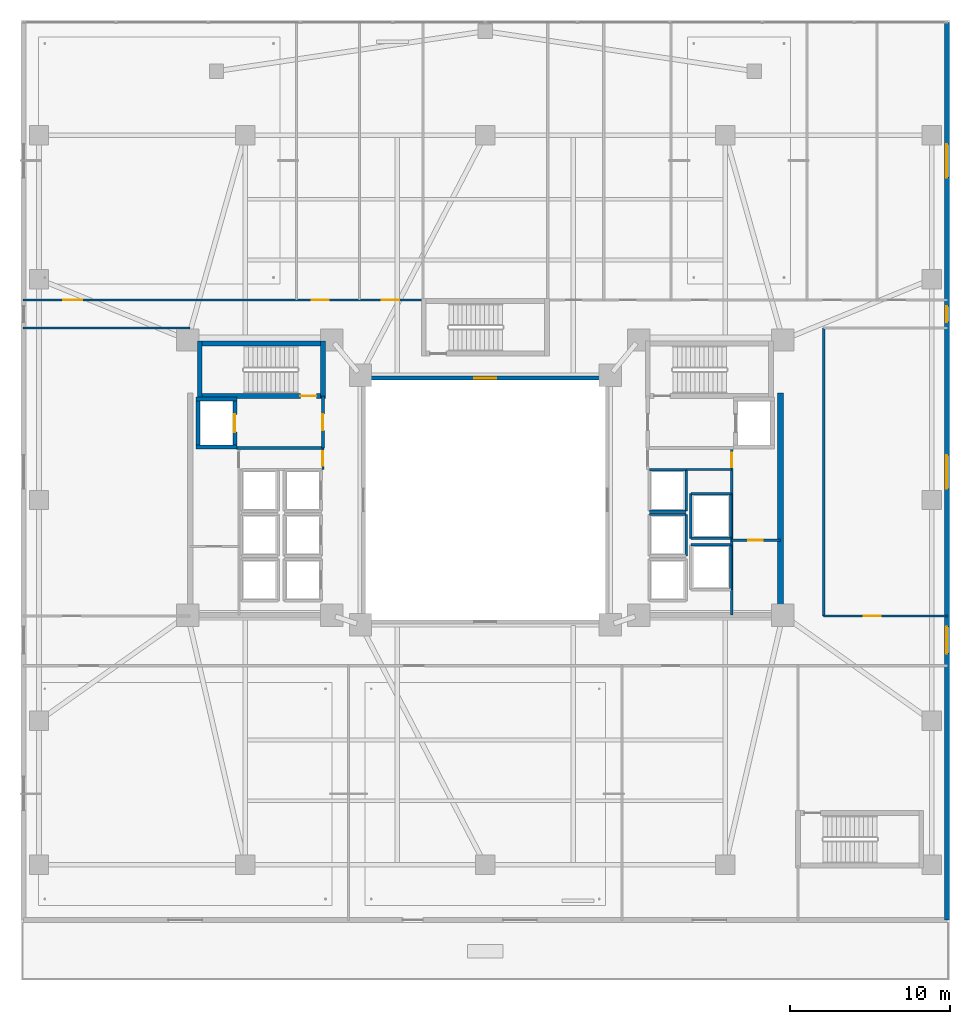
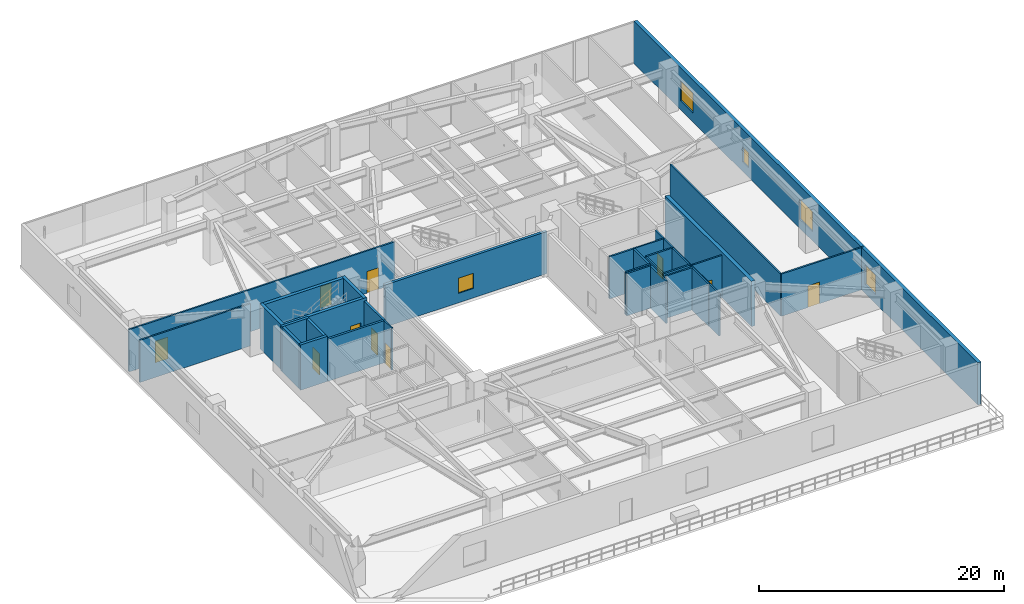
# One storey, part 10 of 22: 32 walls, 10 doors, 5 windows, 15 openings.
"""IFC4 building model written with IfcOpenShell, lengths in metres."""

import ifcopenshell
import ifcopenshell.guid

model = None  # the IFC model being written
_history = None  # IfcOwnerHistory: only IFC2X3 demands one
_inside = {}  # id of a spatial element -> (the spatial element, [elements in it])
_under = {}  # id of a project, library or spatial element -> (it, [spatial elements below it])
_declared = {}  # id of a project -> (the project, [libraries it declares])
_typed = {}  # id of a type object -> (the type object, [elements of that type])
_made_of = {}  # id of a material, layer set ... -> (it, [elements and type objects made of it])


def new_model(schema):
    """Start an empty IFC model of exactly this schema.

    Asked for "IFC4X3", IfcOpenShell would pick the latest addendum, in which some entities
    have other attributes; the version numbers below select the first issue.
    IFC2X3 requires an IfcOwnerHistory on every rooted entity: one is made here for all.
    """
    global model, _history
    if schema == "IFC4X3":
        model = ifcopenshell.file(schema_version=(4, 3, 0, 0))
    else:
        model = ifcopenshell.file(schema=schema)
    _inside.clear()
    _under.clear()
    _declared.clear()
    _typed.clear()
    _made_of.clear()
    _history = None
    if model.schema == "IFC2X3":
        org = make("IfcOrganization", Name="unknown")
        user = make(
            "IfcPersonAndOrganization",
            ThePerson=make("IfcPerson", FamilyName="unknown"),
            TheOrganization=org,
        )
        app = make(
            "IfcApplication",
            ApplicationDeveloper=org,
            Version="unknown",
            ApplicationFullName="unknown",
            ApplicationIdentifier="unknown",
        )
        _history = make(
            "IfcOwnerHistory",
            OwningUser=user,
            OwningApplication=app,
            ChangeAction="ADDED",
            CreationDate=0,
        )
    return model


def make(cls, **values):
    """One entity of the class cls with the attributes given. An attribute that is None is left unset."""
    return model.create_entity(
        cls, **{name: value for name, value in values.items() if value is not None}
    )


def rooted(cls, **values):
    """An entity with a GlobalId (a new one), such as an element, a storey or a relation."""
    return make(cls, GlobalId=ifcopenshell.guid.new(), OwnerHistory=_history, **values)


def si_unit(unit_type, name, prefix=None):
    """IfcSIUnit, for example si_unit("LENGTHUNIT", "METRE", prefix="MILLI")."""
    return make("IfcSIUnit", UnitType=unit_type, Prefix=prefix, Name=name)


def assignment(units):
    """IfcUnitAssignment: the units of a project."""
    return None if units is None else make("IfcUnitAssignment", Units=units)


def point(xyz):
    """IfcCartesianPoint."""
    return None if xyz is None else make("IfcCartesianPoint", Coordinates=xyz)


def direction(xyz):
    """IfcDirection."""
    return None if xyz is None else make("IfcDirection", DirectionRatios=xyz)


def frame(location, z_axis=None, x_axis=None):
    """IfcAxis2Placement3D, a coordinate frame: its origin and axes. An axis left out is left unset."""
    return make(
        "IfcAxis2Placement3D",
        Location=point(location),
        Axis=direction(z_axis),
        RefDirection=direction(x_axis),
    )


def frame_2d(location, x_axis=None):
    """IfcAxis2Placement2D, a coordinate frame in the plane: its origin and x axis."""
    return make(
        "IfcAxis2Placement2D", Location=point(location), RefDirection=direction(x_axis)
    )


def origin():
    """The frame at (0, 0, 0) with its axes left unset."""
    return frame((0.0, 0.0, 0.0))


def place(relative_to, where):
    """IfcLocalPlacement: puts the frame where relative to a parent placement (None: the world)."""
    return make(
        "IfcLocalPlacement", PlacementRelTo=relative_to, RelativePlacement=where
    )


def context(
    kind, dimensions, precision=None, world=None, true_north=None, identifier=None
):
    """IfcGeometricRepresentationContext, for example the 3D "Model" context."""
    return make(
        "IfcGeometricRepresentationContext",
        ContextIdentifier=identifier,
        ContextType=kind,
        CoordinateSpaceDimension=dimensions,
        Precision=precision,
        WorldCoordinateSystem=world,
        TrueNorth=true_north,
    )


def subcontext(parent, identifier, kind, view, scale=None):
    """IfcGeometricRepresentationSubContext, for example "Body" below "Model"."""
    return make(
        "IfcGeometricRepresentationSubContext",
        ContextIdentifier=identifier,
        ContextType=kind,
        ParentContext=parent,
        TargetScale=scale,
        TargetView=view,
    )


def project(units=None, contexts=None):
    """IfcProject with its units and contexts."""
    return rooted(
        "IfcProject",
        Name="project",
        RepresentationContexts=contexts,
        UnitsInContext=assignment(units),
    )


def spatial(cls, under=None, at=None, **own):
    """A site, building, storey or space (cls), placed at a placement, below another one or the project."""
    s = rooted(cls, ObjectPlacement=at, **own)
    if under is not None:
        _under.setdefault(under.id(), (under, []))[1].append(s)
    return s


def profile(cls, at=None, kind="AREA", **sizes):
    """A parametric profile (cls). Its sizes go by their IFC names, for example OverallWidth=200.0."""
    return make(cls, ProfileType=kind, Position=at, **sizes)


def rectangle(**sizes):
    """IfcRectangleProfileDef."""
    return profile("IfcRectangleProfileDef", **sizes)


def extrude(swept, where, along, depth):
    """IfcExtrudedAreaSolid: the profile swept, set in the frame where, extruded along a direction by depth."""
    return make(
        "IfcExtrudedAreaSolid",
        SweptArea=swept,
        Position=where,
        ExtrudedDirection=direction(along),
        Depth=depth,
    )


def shape(context_of_items, identifier, shape_type, items):
    """IfcShapeRepresentation: the items that make up one representation, for example the "Body"."""
    return make(
        "IfcShapeRepresentation",
        ContextOfItems=context_of_items,
        RepresentationIdentifier=identifier,
        RepresentationType=shape_type,
        Items=items,
    )


def material(Name=None, Category=None):
    """IfcMaterial."""
    return make("IfcMaterial", Name=Name, Category=Category)


def layer(
    of_material, thickness, ventilated=None, Name=None, Category=None, Priority=None
):
    """IfcMaterialLayer: one layer of a wall or slab, of a material (None: an air gap)."""
    return make(
        "IfcMaterialLayer",
        Material=of_material,
        LayerThickness=thickness,
        IsVentilated=ventilated,
        Name=Name,
        Category=Category,
        Priority=Priority,
    )


def layer_set(layers, Name=None):
    """IfcMaterialLayerSet."""
    return make("IfcMaterialLayerSet", MaterialLayers=layers, LayerSetName=Name)


def made_of(thing, what):
    """Note that an element or type object is made of a material, layer set ...; save() writes the relation."""
    if what is not None:
        _made_of.setdefault(what.id(), (what, []))[1].append(thing)
    return thing


def type_object(cls, material=None, **own):
    """A type object (cls), such as IfcWallType, which elements share."""
    return made_of(rooted(cls, **own), material)


def element(
    cls,
    number,
    at=None,
    inside=None,
    cuts=None,
    type_object=None,
    material=None,
    context=None,
    identifier="Body",
    shape_type=None,
    held_by="IfcProductDefinitionShape",
    body=None,
    shapes=None,
    **own,
):
    """One element of the class cls, such as IfcWall. Its Tag is "e" and its number.

    at: its placement. inside: the storey or other place that contains it. cuts: it is an
    opening in that element (IfcRelVoidsElement). A single representation is given by context,
    identifier, shape_type and body (its items); several are given by shapes. held_by: the class
    of the entity that holds the representations. save() writes the other relations.
    """
    e = rooted(cls, Tag="e%d" % number, ObjectPlacement=at, **own)
    if body is not None:
        shapes = [shape(context, identifier, shape_type, body)]
    if shapes is not None:
        e.Representation = make(held_by, Representations=shapes)
    if inside is not None:
        _inside.setdefault(inside.id(), (inside, []))[1].append(e)
    if cuts is not None:
        rooted(
            "IfcRelVoidsElement", RelatingBuildingElement=cuts, RelatedOpeningElement=e
        )
    if type_object is not None:
        _typed.setdefault(type_object.id(), (type_object, []))[1].append(e)
    return made_of(e, material)


def fill(opening, filler):
    """IfcRelFillsElement: the door or window that sits in an opening."""
    return rooted(
        "IfcRelFillsElement",
        RelatingOpeningElement=opening,
        RelatedBuildingElement=filler,
    )


def aggregate(whole, parts):
    """IfcRelAggregates: a whole, such as a stair, and the parts it consists of."""
    return rooted("IfcRelAggregates", RelatingObject=whole, RelatedObjects=parts)


def save(model, path):
    """Write the relations noted so far, then the file.

    IfcRelAggregates (storeys below a building ...), IfcRelContainedInSpatialStructure (elements
    in a storey), IfcRelDefinesByType, IfcRelAssociatesMaterial and IfcRelDeclares: one each for
    every whole, place, type object, material and project.
    """
    for whole, parts in _under.values():
        aggregate(whole, parts)
    for where, things in _inside.values():
        rooted(
            "IfcRelContainedInSpatialStructure",
            RelatedElements=things,
            RelatingStructure=where,
        )
    for kind, things in _typed.values():
        rooted("IfcRelDefinesByType", RelatedObjects=things, RelatingType=kind)
    for what, things in _made_of.values():
        rooted("IfcRelAssociatesMaterial", RelatedObjects=things, RelatingMaterial=what)
    for by, libraries in _declared.values():
        rooted("IfcRelDeclares", RelatingContext=by, RelatedDefinitions=libraries)
    model.write(path)


model = new_model("IFC4")

# Units and contexts
model_context = context("Model", 3, precision=1e-05, world=origin(), true_north=direction((0.0, 1.0)))
body_context = subcontext(model_context, "Body", "Model", "MODEL_VIEW")
ifc_project = project(units=[si_unit("LENGTHUNIT", "METRE"), si_unit("AREAUNIT", "SQUARE_METRE"), si_unit("VOLUMEUNIT", "CUBIC_METRE"), si_unit("PLANEANGLEUNIT", "RADIAN"), si_unit("MASSUNIT", "GRAM", prefix="KILO")], contexts=[model_context])

# Site, building, storey
site_placement = place(None, origin())
site = spatial("IfcSite", under=ifc_project, at=site_placement, CompositionType="ELEMENT")
building_placement = place(site_placement, origin())
building = spatial("IfcBuilding", under=site, at=building_placement, Name="Tarnavaz Court Tower", CompositionType="ELEMENT")
storey_placement = place(building_placement, frame((0.0, 0.0, 14.39990234375)))
storey = spatial("IfcBuildingStorey", under=building, at=storey_placement, Name="L03", CompositionType="ELEMENT", Elevation=14.39990234375)

# Wall
ifc_material_1 = material(Name="Concrete C60/75", Category="concrete")
ifc_layer_1 = layer(ifc_material_1, 0.25)
ifc_layer_set_1 = layer_set([ifc_layer_1], Name="Concrete C60/75")
wall_type_1 = type_object("IfcWallType", Name="WL-CORE-250-C60", PredefinedType="SHEAR", material=ifc_layer_set_1)
wall_1_placement = place(storey_placement, frame((-17.949951171875, 3.175048828125, 0.0), z_axis=(0.0, 0.0, 1.0), x_axis=(0.0, 1.0, 0.0)))
element("IfcWall", 1, at=wall_1_placement, inside=storey, type_object=wall_type_1, Name="L03 Lift FL-W1 Shaft Wall 021", PredefinedType="SHEAR", context=body_context, shape_type="SweptSolid", body=[
    extrude(rectangle(XDim=3.25, YDim=0.25, at=frame_2d((1.625, 0.0))), origin(), (0.0, 0.0, 1.0), 4.5),
])

# Wall, opening, door
wall_2_placement = place(storey_placement, frame((-15.64990234375, 3.175048828125, 0.0), z_axis=(0.0, 0.0, 1.0), x_axis=(0.0, 1.0, 0.0)))
wall_2 = element("IfcWall", 2, at=wall_2_placement, inside=storey, type_object=wall_type_1, Name="L03 Lift FL-W1 Shaft Wall 022", PredefinedType="SHEAR", context=body_context, shape_type="SweptSolid", body=[
    extrude(rectangle(XDim=3.25, YDim=0.25, at=frame_2d((1.625, 0.0))), origin(), (0.0, 0.0, 1.0), 4.5),
])
opening_1_placement = place(wall_2_placement, frame((1.074951171875, 0.0, 0.0)))
opening_1 = element("IfcOpeningElement", 3, at=opening_1_placement, cuts=wall_2, Name="Opening LD1", PredefinedType="OPENING", context=body_context, shape_type="SweptSolid", body=[
    extrude(rectangle(XDim=1.10009765625, YDim=2.14990234375, at=frame_2d((0.550048828125, 1.074951171875))), frame((0.0, 0.135009765625, 0.0), z_axis=(0.0, -1.0, 0.0), x_axis=(1.0, 0.0, 0.0)), (0.0, 0.0, 1.0), 0.27001953125),
])
ifc_material_2 = material(Name="Stainless Steel", Category="steel")
door_type_1 = type_object("IfcDoorType", Name="DR-LD-1100", OperationType="NOTDEFINED", PredefinedType="DOOR", material=ifc_material_2)
door_1_placement = place(opening_1_placement, origin())
door_1 = element("IfcDoor", 4, at=door_1_placement, inside=storey, type_object=door_type_1, Name="L03 Lift Landing Door LD-FL-W1", OperationType="SLIDING_TO_LEFT", OverallHeight=2.14990234375, OverallWidth=1.10009765625, PredefinedType="DOOR", context=body_context, shape_type="SweptSolid", body=[
    extrude(rectangle(XDim=1.10009765625, YDim=2.14990234375, at=frame_2d((0.550048828125, 1.074951171875))), frame((0.0, 0.02490234375, 0.0), z_axis=(0.0, -1.0, 0.0), x_axis=(1.0, 0.0, 0.0)), (0.0, 0.0, 1.0), 0.050048828125),
])
fill(opening_1, door_1)

# Walls
for number, where, z_axis, x_axis, name in (
    (5, (-18.074951171875, 3.300048828125, 0.0), (0.0, 0.0, 1.0), (1.0, 0.0, 0.0), "L03 Lift FL-W1 Shaft Wall 023"),
    (6, (-18.074951171875, 6.300048828125, 0.0), (0.0, 0.0, 1.0), (1.0, 0.0, 0.0), "L03 Lift FL-W1 Shaft Wall 024"),
):
    element("IfcWall", number, at=place(storey_placement, frame(where, z_axis=z_axis, x_axis=x_axis)), inside=storey, type_object=wall_type_1, Name=name, PredefinedType="SHEAR", context=body_context, shape_type="SweptSolid", body=[
        extrude(rectangle(XDim=2.550048828125, YDim=0.25, at=frame_2d((1.27490234375, 0.0))), origin(), (0.0, 0.0, 1.0), 4.5),
    ])
ifc_layer_2 = layer(ifc_material_1, 0.300048828125)
ifc_layer_set_2 = layer_set([ifc_layer_2], Name="Concrete C60/75")
wall_type_2 = type_object("IfcWallType", Name="WL-CORE-300-C60", PredefinedType="SHEAR", material=ifc_layer_set_2)
wall_3_placement = place(storey_placement, frame((-18.0, 9.7900390625, 0.0), z_axis=(0.0, 0.0, 1.0), x_axis=(1.0, 0.0, 0.0)))
element("IfcWall", 7, at=wall_3_placement, inside=storey, type_object=wall_type_2, Name="L03 West Stair Core Wall 001", PredefinedType="SHEAR", context=body_context, shape_type="SweptSolid", body=[
    extrude(rectangle(XDim=8.0, YDim=0.300048828125, at=frame_2d((4.0, 0.0))), origin(), (0.0, 0.0, 1.0), 4.5),
])

# Wall, opening, door
wall_4_placement = place(storey_placement, frame((-18.0, 6.5, 0.0), z_axis=(0.0, 0.0, 1.0), x_axis=(1.0, 0.0, 0.0)))
wall_4 = element("IfcWall", 8, at=wall_4_placement, inside=storey, type_object=wall_type_2, Name="L03 West Stair Core Wall 002", PredefinedType="SHEAR", context=body_context, shape_type="SweptSolid", body=[
    extrude(rectangle(XDim=8.0, YDim=0.300048828125, at=frame_2d((4.0, 0.0))), origin(), (0.0, 0.0, 1.0), 4.5),
])
opening_2_placement = place(wall_4_placement, frame((6.449951171875, 0.0, 0.0)))
opening_2 = element("IfcOpeningElement", 9, at=opening_2_placement, cuts=wall_4, Name="Opening D01", PredefinedType="OPENING", context=body_context, shape_type="SweptSolid", body=[
    extrude(rectangle(XDim=1.0, YDim=2.14990234375, at=frame_2d((0.5, 1.074951171875))), frame((0.0, 0.159912109375, 0.0), z_axis=(0.0, -1.0, 0.0), x_axis=(1.0, 0.0, 0.0)), (0.0, 0.0, 1.0), 0.320068359375),
])
ifc_material_3 = material(Name="Fire-Rated Hardwood Timber Core", Category="wood")
door_type_2 = type_object("IfcDoorType", Name="DR-FD90-1000", OperationType="NOTDEFINED", PredefinedType="DOOR", material=ifc_material_3)
door_2_placement = place(opening_2_placement, origin())
door_2 = element("IfcDoor", 10, at=door_2_placement, inside=storey, type_object=door_type_2, Name="L03 Stair ST-W1 Exit Door", OperationType="SINGLE_SWING_LEFT", OverallHeight=2.14990234375, OverallWidth=1.0, PredefinedType="DOOR", context=body_context, shape_type="SweptSolid", body=[
    extrude(rectangle(XDim=1.0, YDim=2.14990234375, at=frame_2d((0.5, 1.074951171875))), frame((0.0, 0.02490234375, 0.0), z_axis=(0.0, -1.0, 0.0), x_axis=(1.0, 0.0, 0.0)), (0.0, 0.0, 1.0), 0.050048828125),
])
fill(opening_2, door_2)

# Walls
for number, where, z_axis, x_axis, name in (
    (11, (-17.85009765625, 6.35009765625, 0.0), (0.0, 0.0, 1.0), (0.0, 1.0, 0.0), "L03 West Stair Core Wall 003"),
    (12, (-10.14990234375, 6.35009765625, 0.0), (0.0, 0.0, 1.0), (0.0, 1.0, 0.0), "L03 West Stair Core Wall 004"),
):
    element("IfcWall", number, at=place(storey_placement, frame(where, z_axis=z_axis, x_axis=x_axis)), inside=storey, type_object=wall_type_2, Name=name, PredefinedType="SHEAR", context=body_context, shape_type="SweptSolid", body=[
        extrude(rectangle(XDim=3.58984375, YDim=0.300048828125, at=frame_2d((1.794921875, 0.0))), origin(), (0.0, 0.0, 1.0), 4.5),
    ])
ifc_layer_3 = layer(ifc_material_1, 0.35009765625)
ifc_layer_set_3 = layer_set([ifc_layer_3], Name="Concrete C60/75")
wall_type_3 = type_object("IfcWallType", Name="WL-CORE-350-C60", PredefinedType="SHEAR", material=ifc_layer_set_3)
wall_5_placement = place(storey_placement, frame((18.449951171875, -7.375, 0.0), z_axis=(0.0, 0.0, 1.0), x_axis=(0.0, 1.0, 0.0)))
element("IfcWall", 13, at=wall_5_placement, inside=storey, type_object=wall_type_3, Name="L03 East Core Shear Wall 075", PredefinedType="SHEAR", context=body_context, shape_type="SweptSolid", body=[
    extrude(rectangle(XDim=14.050048828125, YDim=0.35009765625, at=frame_2d((7.02490234375, 0.0))), origin(), (0.0, 0.0, 1.0), 4.5),
])

# Wall, openings, windows
ifc_material_4 = material(Name="Precast Concrete C40/50", Category="concrete")
ifc_layer_4 = layer(ifc_material_4, 0.320068359375)
ifc_layer_set_4 = layer_set([ifc_layer_4], Name="Precast Concrete C40/50")
wall_type_4 = type_object("IfcWallType", Name="WL-EXT-320", PredefinedType="SOLIDWALL", material=ifc_layer_set_4)
wall_6_placement = place(storey_placement, frame((28.85009765625, 29.85009765625, 0.0), z_axis=(0.0, 0.0, 1.0), x_axis=(0.0, -1.0, 0.0)))
wall_6 = element("IfcWall", 14, at=wall_6_placement, inside=storey, type_object=wall_type_4, Name="L03 Exterior Terracotta Facade Wall 02", PredefinedType="SOLIDWALL", context=body_context, shape_type="SweptSolid", body=[
    extrude(rectangle(XDim=56.10009765625, YDim=0.320068359375, at=frame_2d((28.050048828125, 0.0))), origin(), (0.0, 0.0, 1.0), 4.2001953125),
])
opening_3_placement = place(wall_6_placement, frame((7.60009765625, 0.0, 0.89990234375)))
opening_3 = element("IfcOpeningElement", 15, at=opening_3_placement, cuts=wall_6, Name="Opening W09", PredefinedType="OPENING", context=body_context, shape_type="SweptSolid", body=[
    extrude(rectangle(XDim=2.10009765625, YDim=2.0, at=frame_2d((1.050048828125, 1.0))), frame((0.0, 0.169921875, 0.0), z_axis=(0.0, -1.0, 0.0), x_axis=(1.0, 0.0, 0.0)), (0.0, 0.0, 1.0), 0.340087890625),
])
opening_4_placement = place(wall_6_placement, frame((17.72509765625, 0.0, 0.949951171875)))
opening_4 = element("IfcOpeningElement", 16, at=opening_4_placement, cuts=wall_6, Name="Opening W14", PredefinedType="OPENING", context=body_context, shape_type="SweptSolid", body=[
    extrude(rectangle(XDim=1.0, YDim=1.5, at=frame_2d((0.5, 0.75))), frame((0.0, 0.169921875, 0.0), z_axis=(0.0, -1.0, 0.0), x_axis=(1.0, 0.0, 0.0)), (0.0, 0.0, 1.0), 0.340087890625),
])
opening_5_placement = place(wall_6_placement, frame((27.050048828125, 0.0, 0.89990234375)))
opening_5 = element("IfcOpeningElement", 17, at=opening_5_placement, cuts=wall_6, Name="Opening W09", PredefinedType="OPENING", context=body_context, shape_type="SweptSolid", body=[
    extrude(rectangle(XDim=2.10009765625, YDim=2.0, at=frame_2d((1.050048828125, 1.0))), frame((0.0, 0.169921875, 0.0), z_axis=(0.0, -1.0, 0.0), x_axis=(1.0, 0.0, 0.0)), (0.0, 0.0, 1.0), 0.340087890625),
])
opening_6_placement = place(wall_6_placement, frame((37.757568359375, 0.0, 0.89990234375)))
opening_6 = element("IfcOpeningElement", 18, at=opening_6_placement, cuts=wall_6, Name="Opening W10", PredefinedType="OPENING", context=body_context, shape_type="SweptSolid", body=[
    extrude(rectangle(XDim=1.699951171875, YDim=1.89990234375, at=frame_2d((0.85009765625, 0.949951171875))), frame((0.0, 0.169921875, 0.0), z_axis=(0.0, -1.0, 0.0), x_axis=(1.0, 0.0, 0.0)), (0.0, 0.0, 1.0), 0.340087890625),
])
ifc_material_5 = material(Name="Double-Glazed Solar Low-E Glass", Category="glass")
window_type_1 = type_object("IfcWindowType", Name="WN-APT-1000", PartitioningType="SINGLE_PANEL", PredefinedType="WINDOW", material=ifc_material_5)
window_1_placement = place(opening_4_placement, origin())
window_1 = element("IfcWindow", 19, at=window_1_placement, inside=storey, type_object=window_type_1, Name="L03 North-East Wing Corridor Window", OverallHeight=1.5, OverallWidth=1.0, PartitioningType="SINGLE_PANEL", PredefinedType="WINDOW", context=body_context, shape_type="SweptSolid", body=[
    extrude(rectangle(XDim=1.0, YDim=1.5, at=frame_2d((0.5, 0.75))), frame((0.0, 0.030029296875, 0.0), z_axis=(0.0, -1.0, 0.0), x_axis=(1.0, 0.0, 0.0)), (0.0, 0.0, 1.0), 0.06005859375),
])
fill(opening_4, window_1)
window_type_2 = type_object("IfcWindowType", Name="WN-CLN-1700", PartitioningType="DOUBLE_PANEL_VERTICAL", PredefinedType="WINDOW", material=ifc_material_5)
window_2_placement = place(opening_6_placement, origin())
window_2 = element("IfcWindow", 20, at=window_2_placement, inside=storey, type_object=window_type_2, Name="L03 South-East Wing Corridor Window", OverallHeight=1.89990234375, OverallWidth=1.699951171875, PartitioningType="SINGLE_PANEL", PredefinedType="WINDOW", context=body_context, shape_type="SweptSolid", body=[
    extrude(rectangle(XDim=1.699951171875, YDim=1.89990234375, at=frame_2d((0.85009765625, 0.949951171875))), frame((0.0, 0.030029296875, 0.0), z_axis=(0.0, -1.0, 0.0), x_axis=(1.0, 0.0, 0.0)), (0.0, 0.0, 1.0), 0.06005859375),
])
fill(opening_6, window_2)
window_type_3 = type_object("IfcWindowType", Name="WN-CLN-2100", PartitioningType="DOUBLE_PANEL_VERTICAL", PredefinedType="WINDOW", material=ifc_material_5)
window_3_placement = place(opening_3_placement, origin())
window_3 = element("IfcWindow", 21, at=window_3_placement, inside=storey, type_object=window_type_3, Name="L03 L03 Specialist Consultation Office Window", OverallHeight=2.0, OverallWidth=2.10009765625, PartitioningType="SINGLE_PANEL", PredefinedType="WINDOW", context=body_context, shape_type="SweptSolid", body=[
    extrude(rectangle(XDim=2.10009765625, YDim=2.0, at=frame_2d((1.050048828125, 1.0))), frame((0.0, 0.030029296875, 0.0), z_axis=(0.0, -1.0, 0.0), x_axis=(1.0, 0.0, 0.0)), (0.0, 0.0, 1.0), 0.06005859375),
])
fill(opening_3, window_3)
window_4_placement = place(opening_5_placement, origin())
window_4 = element("IfcWindow", 22, at=window_4_placement, inside=storey, type_object=window_type_3, Name="L03 L03 East Chahar-Bagh Clinical Lounge Window", OverallHeight=2.0, OverallWidth=2.10009765625, PartitioningType="SINGLE_PANEL", PredefinedType="WINDOW", context=body_context, shape_type="SweptSolid", body=[
    extrude(rectangle(XDim=2.10009765625, YDim=2.0, at=frame_2d((1.050048828125, 1.0))), frame((0.0, 0.030029296875, 0.0), z_axis=(0.0, -1.0, 0.0), x_axis=(1.0, 0.0, 0.0)), (0.0, 0.0, 1.0), 0.06005859375),
])
fill(opening_5, window_4)

# Wall, openings, doors
ifc_material_6 = material(Name="Gypsum Fire-Board on Acoustic Metal Stud", Category="masonry")
ifc_layer_5 = layer(ifc_material_6, 0.14990234375)
ifc_layer_set_5 = layer_set([ifc_layer_5], Name="Gypsum Fire-Board on Acoustic Metal Stud")
wall_type_5 = type_object("IfcWallType", Name="WL-FIRE-150", PredefinedType="PARTITIONING", material=ifc_layer_set_5)
wall_7_placement = place(storey_placement, frame((-28.8798828125, 12.5, 0.0), z_axis=(0.0, 0.0, 1.0), x_axis=(1.0, 0.0, 0.0)))
wall_7 = element("IfcWall", 23, at=wall_7_placement, inside=storey, type_object=wall_type_5, Name="L03 NW Wing Corridor Wall 085", PredefinedType="PARTITIONING", context=body_context, shape_type="SweptSolid", body=[
    extrude(rectangle(XDim=25.02978515625, YDim=0.14990234375, at=frame_2d((12.514892578125, 0.0))), origin(), (0.0, 0.0, 1.0), 4.2001953125),
])
opening_7_placement = place(wall_7_placement, frame((2.5, 0.0, 0.0)))
opening_7 = element("IfcOpeningElement", 24, at=opening_7_placement, cuts=wall_7, Name="Opening D11", PredefinedType="OPENING", context=body_context, shape_type="SweptSolid", body=[
    extrude(rectangle(XDim=1.199951171875, YDim=2.14990234375, at=frame_2d((0.60009765625, 1.074951171875))), frame((0.0, 0.0849609375, 0.0), z_axis=(0.0, -1.0, 0.0), x_axis=(1.0, 0.0, 0.0)), (0.0, 0.0, 1.0), 0.169921875),
])
opening_8_placement = place(wall_7_placement, frame((18.030029296875, 0.0, 0.0)))
opening_8 = element("IfcOpeningElement", 25, at=opening_8_placement, cuts=wall_7, Name="Opening D12", PredefinedType="OPENING", context=body_context, shape_type="SweptSolid", body=[
    extrude(rectangle(XDim=1.080078125, YDim=2.14990234375, at=frame_2d((0.5400390625, 1.074951171875))), frame((0.0, 0.0849609375, 0.0), z_axis=(0.0, -1.0, 0.0), x_axis=(1.0, 0.0, 0.0)), (0.0, 0.0, 1.0), 0.169921875),
])
opening_9_placement = place(wall_7_placement, frame((22.419921875, 0.0, 0.0)))
opening_9 = element("IfcOpeningElement", 26, at=opening_9_placement, cuts=wall_7, Name="Opening D12", PredefinedType="OPENING", context=body_context, shape_type="SweptSolid", body=[
    extrude(rectangle(XDim=1.080078125, YDim=2.14990234375, at=frame_2d((0.5400390625, 1.074951171875))), frame((0.0, 0.0849609375, 0.0), z_axis=(0.0, -1.0, 0.0), x_axis=(1.0, 0.0, 0.0)), (0.0, 0.0, 1.0), 0.169921875),
])
ifc_material_7 = material(Name="Engineered Oak Timber", Category="wood")
door_type_3 = type_object("IfcDoorType", Name="DR-INT-1100", OperationType="NOTDEFINED", PredefinedType="DOOR", material=ifc_material_7)
door_3_placement = place(opening_8_placement, origin())
door_3 = element("IfcDoor", 27, at=door_3_placement, inside=storey, type_object=door_type_3, Name="L03 Children Daycare Playroom North Door", OperationType="SINGLE_SWING_LEFT", OverallHeight=2.14990234375, OverallWidth=1.080078125, PredefinedType="DOOR", context=body_context, shape_type="SweptSolid", body=[
    extrude(rectangle(XDim=1.080078125, YDim=2.14990234375, at=frame_2d((0.5400390625, 1.074951171875))), frame((0.0, 0.02490234375, 0.0), z_axis=(0.0, -1.0, 0.0), x_axis=(1.0, 0.0, 0.0)), (0.0, 0.0, 1.0), 0.050048828125),
])
fill(opening_8, door_3)
door_4_placement = place(opening_9_placement, origin())
door_4 = element("IfcDoor", 28, at=door_4_placement, inside=storey, type_object=door_type_3, Name="L03 North Consultation Door", OperationType="SINGLE_SWING_RIGHT", OverallHeight=2.14990234375, OverallWidth=1.080078125, PredefinedType="DOOR", context=body_context, shape_type="SweptSolid", body=[
    extrude(rectangle(XDim=1.080078125, YDim=2.14990234375, at=frame_2d((0.5400390625, 1.074951171875))), frame((0.0, 0.02490234375, 0.0), z_axis=(0.0, -1.0, 0.0), x_axis=(1.0, 0.0, 0.0)), (0.0, 0.0, 1.0), 0.050048828125),
])
fill(opening_9, door_4)
door_type_4 = type_object("IfcDoorType", Name="DR-INT-1200", OperationType="NOTDEFINED", PredefinedType="DOOR", material=ifc_material_7)
door_5_placement = place(opening_7_placement, origin())
door_5 = element("IfcDoor", 29, at=door_5_placement, inside=storey, type_object=door_type_4, Name="L03 Early-Learning Nursery Classroom West Door", OperationType="SINGLE_SWING_RIGHT", OverallHeight=2.14990234375, OverallWidth=1.199951171875, PredefinedType="DOOR", context=body_context, shape_type="SweptSolid", body=[
    extrude(rectangle(XDim=1.199951171875, YDim=2.14990234375, at=frame_2d((0.60009765625, 1.074951171875))), frame((0.0, 0.02490234375, 0.0), z_axis=(0.0, -1.0, 0.0), x_axis=(1.0, 0.0, 0.0)), (0.0, 0.0, 1.0), 0.050048828125),
])
fill(opening_7, door_5)

# Walls
wall_8_placement = place(storey_placement, frame((21.14990234375, -7.25, 0.0), z_axis=(0.0, 0.0, 1.0), x_axis=(0.0, 1.0, 0.0)))
element("IfcWall", 30, at=wall_8_placement, inside=storey, type_object=wall_type_5, Name="L03 East Outer Link Wall 087", PredefinedType="PARTITIONING", context=body_context, shape_type="SweptSolid", body=[
    extrude(rectangle(XDim=18.0, YDim=0.14990234375, at=frame_2d((9.0, 0.0))), origin(), (0.0, 0.0, 1.0), 4.2001953125),
])
wall_9_placement = place(storey_placement, frame((-28.8798828125, 10.75, 0.0), z_axis=(0.0, 0.0, 1.0), x_axis=(1.0, 0.0, 0.0)))
element("IfcWall", 31, at=wall_9_placement, inside=storey, type_object=wall_type_5, Name="L03 Interior Partition 104", PredefinedType="PARTITIONING", context=body_context, shape_type="SweptSolid", body=[
    extrude(rectangle(XDim=10.429931640625, YDim=0.14990234375, at=frame_2d((5.21484375, 0.0))), origin(), (0.0, 0.0, 1.0), 4.2001953125),
])

# Wall, opening, door
wall_10_placement = place(storey_placement, frame((21.14990234375, -7.25, 0.0), z_axis=(0.0, 0.0, 1.0), x_axis=(1.0, 0.0, 0.0)))
wall_10 = element("IfcWall", 32, at=wall_10_placement, inside=storey, type_object=wall_type_5, Name="L03 Interior Partition 105", PredefinedType="PARTITIONING", context=body_context, shape_type="SweptSolid", body=[
    extrude(rectangle(XDim=7.72998046875, YDim=0.14990234375, at=frame_2d((3.864990234375, 0.0))), origin(), (0.0, 0.0, 1.0), 4.2001953125),
])
opening_10_placement = place(wall_10_placement, frame((2.5, 0.0, 0.0)))
opening_10 = element("IfcOpeningElement", 33, at=opening_10_placement, cuts=wall_10, Name="Opening D12", PredefinedType="OPENING", context=body_context, shape_type="SweptSolid", body=[
    extrude(rectangle(XDim=1.080078125, YDim=2.14990234375, at=frame_2d((0.5400390625, 1.074951171875))), frame((0.0, 0.0849609375, 0.0), z_axis=(0.0, -1.0, 0.0), x_axis=(1.0, 0.0, 0.0)), (0.0, 0.0, 1.0), 0.169921875),
])
door_6_placement = place(opening_10_placement, origin())
door_6 = element("IfcDoor", 34, at=door_6_placement, inside=storey, type_object=door_type_3, Name="L03 East Clinical Lounge Door", OperationType="SINGLE_SWING_RIGHT", OverallHeight=2.14990234375, OverallWidth=1.080078125, PredefinedType="DOOR", context=body_context, shape_type="SweptSolid", body=[
    extrude(rectangle(XDim=1.080078125, YDim=2.14990234375, at=frame_2d((0.5400390625, 1.074951171875))), frame((0.0, 0.02490234375, 0.0), z_axis=(0.0, -1.0, 0.0), x_axis=(1.0, 0.0, 0.0)), (0.0, 0.0, 1.0), 0.050048828125),
])
fill(opening_10, door_6)

# Wall
ifc_material_8 = material(Name="Autoclaved Aerated Concrete Blockwork", Category="masonry")
ifc_layer_6 = layer(ifc_material_8, 0.199951171875)
ifc_layer_set_6 = layer_set([ifc_layer_6], Name="Autoclaved Aerated Concrete Blockwork")
wall_type_6 = type_object("IfcWallType", Name="WL-FIRE-200", PredefinedType="SOLIDWALL", material=ifc_layer_set_6)
wall_11_placement = place(storey_placement, frame((-15.550048828125, 3.25, 0.0), z_axis=(0.0, 0.0, 1.0), x_axis=(1.0, 0.0, 0.0)))
element("IfcWall", 35, at=wall_11_placement, inside=storey, type_object=wall_type_6, Name="L03 West Firefighting Lobby Wall 017", PredefinedType="SOLIDWALL", context=body_context, shape_type="SweptSolid", body=[
    extrude(rectangle(XDim=5.400146484375, YDim=0.199951171875, at=frame_2d((2.7001953125, 0.0))), origin(), (0.0, 0.0, 1.0), 4.2001953125),
])

# Wall, opening, door
wall_12_placement = place(storey_placement, frame((-10.14990234375, 3.25, 0.0), z_axis=(0.0, 0.0, 1.0), x_axis=(0.0, 1.0, 0.0)))
wall_12 = element("IfcWall", 36, at=wall_12_placement, inside=storey, type_object=wall_type_6, Name="L03 West Firefighting Lobby Wall 018", PredefinedType="SOLIDWALL", context=body_context, shape_type="SweptSolid", body=[
    extrude(rectangle(XDim=3.25, YDim=0.199951171875, at=frame_2d((1.625, 0.0))), origin(), (0.0, 0.0, 1.0), 4.2001953125),
])
opening_11_placement = place(wall_12_placement, frame((1.10009765625, 0.0, 0.0)))
opening_11 = element("IfcOpeningElement", 37, at=opening_11_placement, cuts=wall_12, Name="Opening D05", PredefinedType="OPENING", context=body_context, shape_type="SweptSolid", body=[
    extrude(rectangle(XDim=1.02001953125, YDim=2.14990234375, at=frame_2d((0.510009765625, 1.074951171875))), frame((0.0, 0.10986328125, 0.0), z_axis=(0.0, -1.0, 0.0), x_axis=(1.0, 0.0, 0.0)), (0.0, 0.0, 1.0), 0.219970703125),
])
door_type_5 = type_object("IfcDoorType", Name="DR-FD60-1000", OperationType="NOTDEFINED", PredefinedType="DOOR", material=ifc_material_3)
door_7_placement = place(opening_11_placement, origin())
door_7 = element("IfcDoor", 38, at=door_7_placement, inside=storey, type_object=door_type_5, Name="L03 West Firefighting Lobby Door", OperationType="SINGLE_SWING_RIGHT", OverallHeight=2.14990234375, OverallWidth=1.02001953125, PredefinedType="DOOR", context=body_context, shape_type="SweptSolid", body=[
    extrude(rectangle(XDim=1.02001953125, YDim=2.14990234375, at=frame_2d((0.510009765625, 1.074951171875))), frame((0.0, 0.02490234375, 0.0), z_axis=(0.0, -1.0, 0.0), x_axis=(1.0, 0.0, 0.0)), (0.0, 0.0, 1.0), 0.050048828125),
])
fill(opening_11, door_7)

ifc_material_9 = material(Name="Gypsum Plasterboard Acoustic Partition", Category="masonry")
ifc_layer_7 = layer(ifc_material_9, 0.139892578125)
ifc_layer_set_7 = layer_set([ifc_layer_7], Name="Gypsum Plasterboard Acoustic Partition")
wall_type_7 = type_object("IfcWallType", Name="WL-PART-150", PredefinedType="PARTITIONING", material=ifc_layer_set_7)
wall_13_placement = place(storey_placement, frame((-10.14990234375, 1.919921875, 0.0), z_axis=(0.0, 0.0, 1.0), x_axis=(0.0, 1.0, 0.0)))
wall_13 = element("IfcWall", 39, at=wall_13_placement, inside=storey, type_object=wall_type_7, Name="L03 Interior Partition 078", PredefinedType="PARTITIONING", context=body_context, shape_type="SweptSolid", body=[
    extrude(rectangle(XDim=1.330078125, YDim=0.139892578125, at=frame_2d((0.6650390625, 0.0))), origin(), (0.0, 0.0, 1.0), 4.2001953125),
])
opening_12_placement = place(wall_13_placement, frame((0.219970703125, 0.0, 0.0)))
opening_12 = element("IfcOpeningElement", 40, at=opening_12_placement, cuts=wall_13, Name="Opening D09", PredefinedType="OPENING", context=body_context, shape_type="SweptSolid", body=[
    extrude(rectangle(XDim=0.89990234375, YDim=2.080078125, at=frame_2d((0.449951171875, 1.0400390625))), frame((0.0, 0.079833984375, 0.0), z_axis=(0.0, -1.0, 0.0), x_axis=(1.0, 0.0, 0.0)), (0.0, 0.0, 1.0), 0.159912109375),
])
door_type_6 = type_object("IfcDoorType", Name="DR-FD30-900", OperationType="NOTDEFINED", PredefinedType="DOOR", material=ifc_material_3)
door_8_placement = place(opening_12_placement, origin())
door_8 = element("IfcDoor", 41, at=door_8_placement, inside=storey, type_object=door_type_6, Name="L03 West Core Service Lobby Door", OperationType="SINGLE_SWING_RIGHT", OverallHeight=2.080078125, OverallWidth=0.89990234375, PredefinedType="DOOR", context=body_context, shape_type="SweptSolid", body=[
    extrude(rectangle(XDim=0.89990234375, YDim=2.080078125, at=frame_2d((0.449951171875, 1.0400390625))), frame((0.0, 0.02490234375, 0.0), z_axis=(0.0, -1.0, 0.0), x_axis=(1.0, 0.0, 0.0)), (0.0, 0.0, 1.0), 0.050048828125),
])
fill(opening_12, door_8)

# Wall
wall_14_placement = place(storey_placement, frame((12.550048828125, 1.89990234375, 0.0), z_axis=(0.0, 0.0, 1.0), x_axis=(1.0, 0.0, 0.0)))
element("IfcWall", 42, at=wall_14_placement, inside=storey, type_object=wall_type_7, Name="L03 Interior Partition 081", PredefinedType="PARTITIONING", context=body_context, shape_type="SweptSolid", body=[
    extrude(rectangle(XDim=2.849853515625, YDim=0.139892578125, at=frame_2d((1.4248046875, 0.0))), origin(), (0.0, 0.0, 1.0), 4.2001953125),
])

# Wall, opening, door
wall_15_placement = place(storey_placement, frame((15.39990234375, -7.199951171875, 0.0), z_axis=(0.0, 0.0, 1.0), x_axis=(0.0, 1.0, 0.0)))
wall_15 = element("IfcWall", 43, at=wall_15_placement, inside=storey, type_object=wall_type_7, Name="L03 Interior Partition 083", PredefinedType="PARTITIONING", context=body_context, shape_type="SweptSolid", body=[
    extrude(rectangle(XDim=10.449951171875, YDim=0.139892578125, at=frame_2d((5.22509765625, 0.0))), origin(), (0.0, 0.0, 1.0), 4.2001953125),
])
opening_13_placement = place(wall_15_placement, frame((9.25, 0.0, 0.0)))
opening_13 = element("IfcOpeningElement", 44, at=opening_13_placement, cuts=wall_15, Name="Opening D09", PredefinedType="OPENING", context=body_context, shape_type="SweptSolid", body=[
    extrude(rectangle(XDim=0.89990234375, YDim=2.080078125, at=frame_2d((0.449951171875, 1.0400390625))), frame((0.0, 0.079833984375, 0.0), z_axis=(0.0, -1.0, 0.0), x_axis=(1.0, 0.0, 0.0)), (0.0, 0.0, 1.0), 0.159912109375),
])
door_9_placement = place(opening_13_placement, origin())
door_9 = element("IfcDoor", 45, at=door_9_placement, inside=storey, type_object=door_type_6, Name="L03 East Wet Riser Door", OperationType="SINGLE_SWING_RIGHT", OverallHeight=2.080078125, OverallWidth=0.89990234375, PredefinedType="DOOR", context=body_context, shape_type="SweptSolid", body=[
    extrude(rectangle(XDim=0.89990234375, YDim=2.080078125, at=frame_2d((0.449951171875, 1.0400390625))), frame((0.0, 0.02490234375, 0.0), z_axis=(0.0, -1.0, 0.0), x_axis=(1.0, 0.0, 0.0)), (0.0, 0.0, 1.0), 0.050048828125),
])
fill(opening_13, door_9)

wall_16_placement = place(storey_placement, frame((15.39990234375, -2.52001953125, 0.0), z_axis=(0.0, 0.0, 1.0), x_axis=(1.0, 0.0, 0.0)))
wall_16 = element("IfcWall", 46, at=wall_16_placement, inside=storey, type_object=wall_type_7, Name="L03 Interior Partition 084", PredefinedType="PARTITIONING", context=body_context, shape_type="SweptSolid", body=[
    extrude(rectangle(XDim=3.050048828125, YDim=0.139892578125, at=frame_2d((1.52490234375, 0.0))), origin(), (0.0, 0.0, 1.0), 4.2001953125),
])
opening_14_placement = place(wall_16_placement, frame((1.050048828125, 0.0, 0.0)))
opening_14 = element("IfcOpeningElement", 47, at=opening_14_placement, cuts=wall_16, Name="Opening D09", PredefinedType="OPENING", context=body_context, shape_type="SweptSolid", body=[
    extrude(rectangle(XDim=0.89990234375, YDim=2.080078125, at=frame_2d((0.449951171875, 1.0400390625))), frame((0.0, 0.079833984375, 0.0), z_axis=(0.0, -1.0, 0.0), x_axis=(1.0, 0.0, 0.0)), (0.0, 0.0, 1.0), 0.159912109375),
])
door_10_placement = place(opening_14_placement, origin())
door_10 = element("IfcDoor", 48, at=door_10_placement, inside=storey, type_object=door_type_6, Name="L03 East Electrical Plant Door", OperationType="SINGLE_SWING_LEFT", OverallHeight=2.080078125, OverallWidth=0.89990234375, PredefinedType="DOOR", context=body_context, shape_type="SweptSolid", body=[
    extrude(rectangle(XDim=0.89990234375, YDim=2.080078125, at=frame_2d((0.449951171875, 1.0400390625))), frame((0.0, 0.02490234375, 0.0), z_axis=(0.0, -1.0, 0.0), x_axis=(1.0, 0.0, 0.0)), (0.0, 0.0, 1.0), 0.050048828125),
])
fill(opening_14, door_10)

# Walls
ifc_layer_8 = layer(ifc_material_8, 0.159912109375)
ifc_layer_set_8 = layer_set([ifc_layer_8], Name="Autoclaved Aerated Concrete Blockwork")
wall_type_8 = type_object("IfcWallType", Name="WL-SHAFT-150", PredefinedType="SOLIDWALL", material=ifc_layer_set_8)
wall_17_placement = place(storey_placement, frame((12.550048828125, -3.5, 0.0), z_axis=(0.0, 0.0, 1.0), x_axis=(0.0, 1.0, 0.0)))
element("IfcWall", 49, at=wall_17_placement, inside=storey, type_object=wall_type_8, Name="L03 Lift PL-M2 Shaft Wall 058", PredefinedType="SOLIDWALL", context=body_context, shape_type="SweptSolid", body=[
    extrude(rectangle(XDim=2.60009765625, YDim=0.159912109375, at=frame_2d((1.300048828125, 0.0))), origin(), (0.0, 0.0, 1.0), 4.2001953125),
])
wall_18_placement = place(storey_placement, frame((10.25, -0.89990234375, 0.0), z_axis=(0.0, 0.0, 1.0), x_axis=(1.0, 0.0, 0.0)))
element("IfcWall", 50, at=wall_18_placement, inside=storey, type_object=wall_type_8, Name="L03 Lift PL-M2 Shaft Wall 060", PredefinedType="SOLIDWALL", context=body_context, shape_type="SweptSolid", body=[
    extrude(rectangle(XDim=2.300048828125, YDim=0.159912109375, at=frame_2d((1.14990234375, 0.0))), origin(), (0.0, 0.0, 1.0), 4.2001953125),
])
wall_19_placement = place(storey_placement, frame((12.550048828125, -0.699951171875, 0.0), z_axis=(0.0, 0.0, 1.0), x_axis=(0.0, 1.0, 0.0)))
element("IfcWall", 51, at=wall_19_placement, inside=storey, type_object=wall_type_8, Name="L03 Lift PL-M3 Shaft Wall 062", PredefinedType="SOLIDWALL", context=body_context, shape_type="SweptSolid", body=[
    extrude(rectangle(XDim=2.599853515625, YDim=0.159912109375, at=frame_2d((1.2998046875, 0.0))), origin(), (0.0, 0.0, 1.0), 4.2001953125),
])
for number, where, z_axis, x_axis, name in (
    (52, (10.25, -0.699951171875, 0.0), (0.0, 0.0, 1.0), (1.0, 0.0, 0.0), "L03 Lift PL-M3 Shaft Wall 063"),
    (53, (10.25, 1.89990234375, 0.0), (0.0, 0.0, 1.0), (1.0, 0.0, 0.0), "L03 Lift PL-M3 Shaft Wall 064"),
):
    element("IfcWall", number, at=place(storey_placement, frame(where, z_axis=z_axis, x_axis=x_axis)), inside=storey, type_object=wall_type_8, Name=name, PredefinedType="SOLIDWALL", context=body_context, shape_type="SweptSolid", body=[
        extrude(rectangle(XDim=2.300048828125, YDim=0.159912109375, at=frame_2d((1.14990234375, 0.0))), origin(), (0.0, 0.0, 1.0), 4.2001953125),
    ])
wall_20_placement = place(storey_placement, frame((15.35009765625, -5.60009765625, 0.0), z_axis=(0.0, 0.0, 1.0), x_axis=(0.0, 1.0, 0.0)))
element("IfcWall", 54, at=wall_20_placement, inside=storey, type_object=wall_type_8, Name="L03 Lift PL-OB1 Shaft Wall 066", PredefinedType="SOLIDWALL", context=body_context, shape_type="SweptSolid", body=[
    extrude(rectangle(XDim=2.800048828125, YDim=0.159912109375, at=frame_2d((1.39990234375, 0.0))), origin(), (0.0, 0.0, 1.0), 4.2001953125),
])
wall_21_placement = place(storey_placement, frame((12.85009765625, -2.800048828125, 0.0), z_axis=(0.0, 0.0, 1.0), x_axis=(1.0, 0.0, 0.0)))
element("IfcWall", 55, at=wall_21_placement, inside=storey, type_object=wall_type_8, Name="L03 Lift PL-OB1 Shaft Wall 068", PredefinedType="SOLIDWALL", context=body_context, shape_type="SweptSolid", body=[
    extrude(rectangle(XDim=2.5, YDim=0.159912109375, at=frame_2d((1.25, 0.0))), origin(), (0.0, 0.0, 1.0), 4.2001953125),
])
for number, where, z_axis, x_axis, name in (
    (56, (12.85009765625, -2.39990234375, 0.0), (0.0, 0.0, 1.0), (0.0, 1.0, 0.0), "L03 Lift PL-OB2 Shaft Wall 069"),
    (57, (15.35009765625, -2.39990234375, 0.0), (0.0, 0.0, 1.0), (0.0, 1.0, 0.0), "L03 Lift PL-OB2 Shaft Wall 070"),
):
    element("IfcWall", number, at=place(storey_placement, frame(where, z_axis=z_axis, x_axis=x_axis)), inside=storey, type_object=wall_type_8, Name=name, PredefinedType="SOLIDWALL", context=body_context, shape_type="SweptSolid", body=[
        extrude(rectangle(XDim=2.7998046875, YDim=0.159912109375, at=frame_2d((1.39990234375, 0.0))), origin(), (0.0, 0.0, 1.0), 4.2001953125),
    ])
for number, where, z_axis, x_axis, name in (
    (58, (12.85009765625, -2.39990234375, 0.0), (0.0, 0.0, 1.0), (1.0, 0.0, 0.0), "L03 Lift PL-OB2 Shaft Wall 071"),
    (59, (12.85009765625, 0.39990234375, 0.0), (0.0, 0.0, 1.0), (1.0, 0.0, 0.0), "L03 Lift PL-OB2 Shaft Wall 072"),
):
    element("IfcWall", number, at=place(storey_placement, frame(where, z_axis=z_axis, x_axis=x_axis)), inside=storey, type_object=wall_type_8, Name=name, PredefinedType="SOLIDWALL", context=body_context, shape_type="SweptSolid", body=[
        extrude(rectangle(XDim=2.5, YDim=0.159912109375, at=frame_2d((1.25, 0.0))), origin(), (0.0, 0.0, 1.0), 4.2001953125),
    ])

# Wall, opening, window
ifc_layer_9 = layer(ifc_material_4, 0.239990234375)
ifc_layer_set_9 = layer_set([ifc_layer_9], Name="Precast Concrete C40/50")
wall_type_9 = type_object("IfcWallType", Name="WL-WELL-240", PredefinedType="SOLIDWALL", material=ifc_layer_set_9)
wall_22_placement = place(storey_placement, frame((7.6201171875, 7.6201171875, 0.0), z_axis=(0.0, 0.0, 1.0), x_axis=(-1.0, 0.0, 0.0)))
wall_22 = element("IfcWall", 60, at=wall_22_placement, inside=storey, type_object=wall_type_9, Name="L03 Badgir Light-Well Exterior Wall N", PredefinedType="SOLIDWALL", context=body_context, shape_type="SweptSolid", body=[
    extrude(rectangle(XDim=15.240234375, YDim=0.239990234375, at=frame_2d((7.6201171875, 0.0))), origin(), (0.0, 0.0, 1.0), 4.2001953125),
])
opening_15_placement = place(wall_22_placement, frame((6.919921875, 0.0, 0.949951171875)))
opening_15 = element("IfcOpeningElement", 61, at=opening_15_placement, cuts=wall_22, Name="Opening W13", PredefinedType="OPENING", context=body_context, shape_type="SweptSolid", body=[
    extrude(rectangle(XDim=1.39990234375, YDim=1.5, at=frame_2d((0.699951171875, 0.75))), frame((0.0, 0.1298828125, 0.0), z_axis=(0.0, -1.0, 0.0), x_axis=(1.0, 0.0, 0.0)), (0.0, 0.0, 1.0), 0.260009765625),
])
window_type_4 = type_object("IfcWindowType", Name="WN-WEL-1400", PartitioningType="SINGLE_PANEL", PredefinedType="WINDOW", material=ifc_material_5)
window_5_placement = place(opening_15_placement, origin())
window_5 = element("IfcWindow", 62, at=window_5_placement, inside=storey, type_object=window_type_4, Name="L03 Courtyard Gallery Window N", OverallHeight=1.5, OverallWidth=1.39990234375, PartitioningType="SINGLE_PANEL", PredefinedType="WINDOW", context=body_context, shape_type="SweptSolid", body=[
    extrude(rectangle(XDim=1.39990234375, YDim=1.5, at=frame_2d((0.699951171875, 0.75))), frame((0.0, 0.030029296875, 0.0), z_axis=(0.0, -1.0, 0.0), x_axis=(1.0, 0.0, 0.0)), (0.0, 0.0, 1.0), 0.06005859375),
])
fill(opening_15, window_5)

save(model, "model.ifc")
